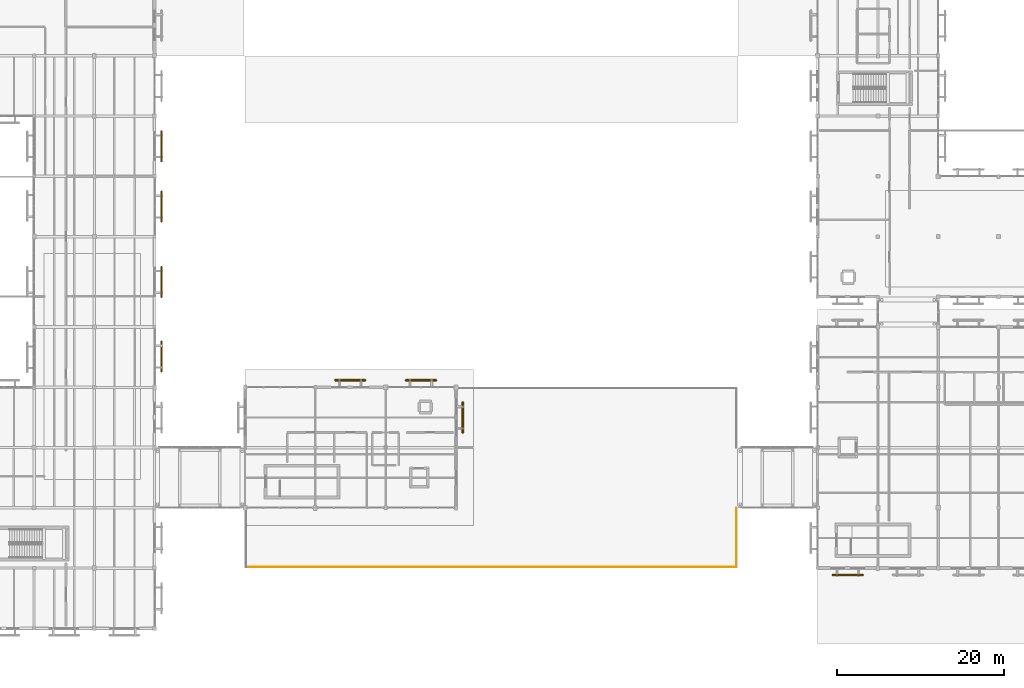
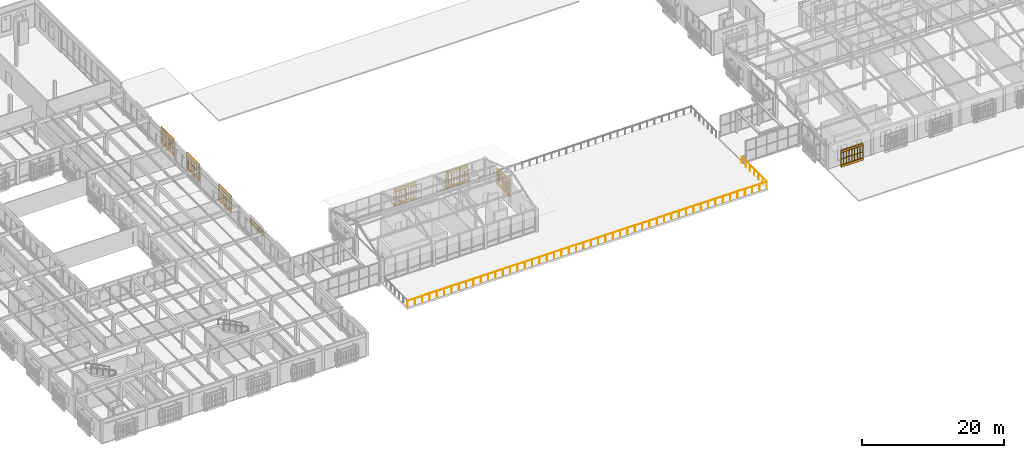
# One storey, part 100 of 112: 17 railings, 14 coverings.
"""IFC4 building model written with IfcOpenShell, lengths in metres."""

from ifc_helpers import new_model, si_unit, direction, frame, origin, origin_2d, place, context, subcontext, project, spatial, polyline, circle, outline, extrude, material, layer, layer_set, type_object, element, save


model = new_model("IFC4")

# Units and contexts
model_context = context("Model", 3, precision=1e-05, world=origin(), true_north=direction((0.0, 1.0)))
body_context = subcontext(model_context, "Body", "Model", "MODEL_VIEW")
ifc_project = project(units=[si_unit("LENGTHUNIT", "METRE"), si_unit("AREAUNIT", "SQUARE_METRE"), si_unit("VOLUMEUNIT", "CUBIC_METRE"), si_unit("PLANEANGLEUNIT", "RADIAN"), si_unit("MASSUNIT", "GRAM", prefix="KILO")], contexts=[model_context])

# Site, building, storey
site_placement = place(None, origin())
site = spatial("IfcSite", under=ifc_project, at=site_placement, CompositionType="ELEMENT")
building_placement = place(site_placement, origin())
building = spatial("IfcBuilding", under=site, at=building_placement, Name="Mazaris Harbour Polytechnic", CompositionType="ELEMENT")
storey_placement = place(building_placement, frame((0.0, 0.0, 13.800048828125)))
storey = spatial("IfcBuildingStorey", under=building, at=storey_placement, Name="L03", CompositionType="ELEMENT", Elevation=13.800048828125)

# Railings
ifc_material_1 = material(Name="Algerian Buff Limestone", Category="masonry")
railing_type_1 = type_object("IfcRailingType", Name="Limestone Roof Garden Balustrade 1100", PredefinedType="BALUSTRADE", material=ifc_material_1)
railing_1_placement = place(storey_placement, frame((54.1201171875, 14.52001953125, 0.0)))
element("IfcRailing", 1, at=railing_1_placement, inside=storey, type_object=railing_type_1, Name="Railing BAL-V3-S", PredefinedType="BALUSTRADE", context=body_context, shape_type="SweptSolid", body=[
    extrude(circle(Radius=0.02392578125, at=origin_2d()), frame((0.0, 0.0, 1.09619140625), z_axis=(1.0, 0.0, 0.0), x_axis=(0.0, 1.0, 0.0)), (0.0, 0.0, 1.0), 58.559814453125),
    extrude(circle(Radius=0.02099609375, at=origin_2d()), origin(), (0.0, 0.0, 1.0), 1.072021484375),
    extrude(circle(Radius=0.02099609375, at=origin_2d()), frame((1.195068359375, 0.0, 0.0)), (0.0, 0.0, 1.0), 1.072021484375),
    extrude(circle(Radius=0.02099609375, at=origin_2d()), frame((2.39013671875, 0.0, 0.0)), (0.0, 0.0, 1.0), 1.072021484375),
    extrude(circle(Radius=0.02099609375, at=origin_2d()), frame((3.585205078125, 0.0, 0.0)), (0.0, 0.0, 1.0), 1.072021484375),
    extrude(circle(Radius=0.02099609375, at=origin_2d()), frame((4.7802734375, 0.0, 0.0)), (0.0, 0.0, 1.0), 1.072021484375),
    extrude(circle(Radius=0.02099609375, at=origin_2d()), frame((5.9755859375, 0.0, 0.0)), (0.0, 0.0, 1.0), 1.072021484375),
    extrude(circle(Radius=0.02099609375, at=origin_2d()), frame((7.170654296875, 0.0, 0.0)), (0.0, 0.0, 1.0), 1.072021484375),
    extrude(circle(Radius=0.02099609375, at=origin_2d()), frame((8.36572265625, 0.0, 0.0)), (0.0, 0.0, 1.0), 1.072021484375),
    extrude(circle(Radius=0.02099609375, at=origin_2d()), frame((9.560791015625, 0.0, 0.0)), (0.0, 0.0, 1.0), 1.072021484375),
    extrude(circle(Radius=0.02099609375, at=origin_2d()), frame((10.755859375, 0.0, 0.0)), (0.0, 0.0, 1.0), 1.072021484375),
    extrude(circle(Radius=0.02099609375, at=origin_2d()), frame((11.950927734375, 0.0, 0.0)), (0.0, 0.0, 1.0), 1.072021484375),
    extrude(circle(Radius=0.02099609375, at=origin_2d()), frame((13.14599609375, 0.0, 0.0)), (0.0, 0.0, 1.0), 1.072021484375),
    extrude(circle(Radius=0.02099609375, at=origin_2d()), frame((14.341064453125, 0.0, 0.0)), (0.0, 0.0, 1.0), 1.072021484375),
    extrude(circle(Radius=0.02099609375, at=origin_2d()), frame((15.536376953125, 0.0, 0.0)), (0.0, 0.0, 1.0), 1.072021484375),
    extrude(circle(Radius=0.02099609375, at=origin_2d()), frame((16.7314453125, 0.0, 0.0)), (0.0, 0.0, 1.0), 1.072021484375),
    extrude(circle(Radius=0.02099609375, at=origin_2d()), frame((17.926513671875, 0.0, 0.0)), (0.0, 0.0, 1.0), 1.072021484375),
    extrude(circle(Radius=0.02099609375, at=origin_2d()), frame((19.12158203125, 0.0, 0.0)), (0.0, 0.0, 1.0), 1.072021484375),
    extrude(circle(Radius=0.02099609375, at=origin_2d()), frame((20.316650390625, 0.0, 0.0)), (0.0, 0.0, 1.0), 1.072021484375),
    extrude(circle(Radius=0.02099609375, at=origin_2d()), frame((21.51171875, 0.0, 0.0)), (0.0, 0.0, 1.0), 1.072021484375),
    extrude(circle(Radius=0.02099609375, at=origin_2d()), frame((22.706787109375, 0.0, 0.0)), (0.0, 0.0, 1.0), 1.072021484375),
    extrude(circle(Radius=0.02099609375, at=origin_2d()), frame((23.90185546875, 0.0, 0.0)), (0.0, 0.0, 1.0), 1.072021484375),
    extrude(circle(Radius=0.02099609375, at=origin_2d()), frame((25.09716796875, 0.0, 0.0)), (0.0, 0.0, 1.0), 1.072021484375),
    extrude(circle(Radius=0.02099609375, at=origin_2d()), frame((26.292236328125, 0.0, 0.0)), (0.0, 0.0, 1.0), 1.072021484375),
    extrude(circle(Radius=0.02099609375, at=origin_2d()), frame((27.4873046875, 0.0, 0.0)), (0.0, 0.0, 1.0), 1.072021484375),
    extrude(circle(Radius=0.02099609375, at=origin_2d()), frame((28.682373046875, 0.0, 0.0)), (0.0, 0.0, 1.0), 1.072021484375),
    extrude(circle(Radius=0.02099609375, at=origin_2d()), frame((29.87744140625, 0.0, 0.0)), (0.0, 0.0, 1.0), 1.072021484375),
    extrude(circle(Radius=0.02099609375, at=origin_2d()), frame((31.072509765625, 0.0, 0.0)), (0.0, 0.0, 1.0), 1.072021484375),
    extrude(circle(Radius=0.02099609375, at=origin_2d()), frame((32.267578125, 0.0, 0.0)), (0.0, 0.0, 1.0), 1.072021484375),
    extrude(circle(Radius=0.02099609375, at=origin_2d()), frame((33.462646484375, 0.0, 0.0)), (0.0, 0.0, 1.0), 1.072021484375),
    extrude(circle(Radius=0.02099609375, at=origin_2d()), frame((34.657958984375, 0.0, 0.0)), (0.0, 0.0, 1.0), 1.072021484375),
    extrude(circle(Radius=0.02099609375, at=origin_2d()), frame((35.85302734375, 0.0, 0.0)), (0.0, 0.0, 1.0), 1.072021484375),
    extrude(circle(Radius=0.02099609375, at=origin_2d()), frame((37.048095703125, 0.0, 0.0)), (0.0, 0.0, 1.0), 1.072021484375),
    extrude(circle(Radius=0.02099609375, at=origin_2d()), frame((38.2431640625, 0.0, 0.0)), (0.0, 0.0, 1.0), 1.072021484375),
    extrude(circle(Radius=0.02099609375, at=origin_2d()), frame((39.438232421875, 0.0, 0.0)), (0.0, 0.0, 1.0), 1.072021484375),
    extrude(circle(Radius=0.02099609375, at=origin_2d()), frame((40.63330078125, 0.0, 0.0)), (0.0, 0.0, 1.0), 1.072021484375),
    extrude(circle(Radius=0.02099609375, at=origin_2d()), frame((41.828369140625, 0.0, 0.0)), (0.0, 0.0, 1.0), 1.072021484375),
    extrude(circle(Radius=0.02099609375, at=origin_2d()), frame((43.0234375, 0.0, 0.0)), (0.0, 0.0, 1.0), 1.072021484375),
    extrude(circle(Radius=0.02099609375, at=origin_2d()), frame((44.21875, 0.0, 0.0)), (0.0, 0.0, 1.0), 1.072021484375),
    extrude(circle(Radius=0.02099609375, at=origin_2d()), frame((45.413818359375, 0.0, 0.0)), (0.0, 0.0, 1.0), 1.072021484375),
    extrude(circle(Radius=0.02099609375, at=origin_2d()), frame((46.60888671875, 0.0, 0.0)), (0.0, 0.0, 1.0), 1.072021484375),
    extrude(circle(Radius=0.02099609375, at=origin_2d()), frame((47.803955078125, 0.0, 0.0)), (0.0, 0.0, 1.0), 1.072021484375),
    extrude(circle(Radius=0.02099609375, at=origin_2d()), frame((48.9990234375, 0.0, 0.0)), (0.0, 0.0, 1.0), 1.072021484375),
    extrude(circle(Radius=0.02099609375, at=origin_2d()), frame((50.194091796875, 0.0, 0.0)), (0.0, 0.0, 1.0), 1.072021484375),
    extrude(circle(Radius=0.02099609375, at=origin_2d()), frame((51.38916015625, 0.0, 0.0)), (0.0, 0.0, 1.0), 1.072021484375),
    extrude(circle(Radius=0.02099609375, at=origin_2d()), frame((52.584228515625, 0.0, 0.0)), (0.0, 0.0, 1.0), 1.072021484375),
    extrude(circle(Radius=0.02099609375, at=origin_2d()), frame((53.779541015625, 0.0, 0.0)), (0.0, 0.0, 1.0), 1.072021484375),
    extrude(circle(Radius=0.02099609375, at=origin_2d()), frame((54.974609375, 0.0, 0.0)), (0.0, 0.0, 1.0), 1.072021484375),
    extrude(circle(Radius=0.02099609375, at=origin_2d()), frame((56.169677734375, 0.0, 0.0)), (0.0, 0.0, 1.0), 1.072021484375),
    extrude(circle(Radius=0.02099609375, at=origin_2d()), frame((57.36474609375, 0.0, 0.0)), (0.0, 0.0, 1.0), 1.072021484375),
    extrude(circle(Radius=0.02099609375, at=origin_2d()), frame((58.559814453125, 0.0, 0.0)), (0.0, 0.0, 1.0), 1.072021484375),
])
railing_2_placement = place(storey_placement, frame((112.679931640625, 14.52001953125, 0.0)))
element("IfcRailing", 2, at=railing_2_placement, inside=storey, type_object=railing_type_1, Name="Railing BAL-V3-E", PredefinedType="BALUSTRADE", context=body_context, shape_type="SweptSolid", body=[
    extrude(circle(Radius=0.02392578125, at=origin_2d()), frame((0.0, 0.0, 1.09619140625), z_axis=(0.0, 1.0, 0.0), x_axis=(-1.0, 0.0, 0.0)), (0.0, 0.0, 1.0), 7.080078125),
    extrude(circle(Radius=0.02099609375, at=origin_2d()), origin(), (0.0, 0.0, 1.0), 1.072021484375),
    extrude(circle(Radius=0.02099609375, at=origin_2d()), frame((0.0, 1.179931640625, 0.0)), (0.0, 0.0, 1.0), 1.072021484375),
    extrude(circle(Radius=0.02099609375, at=origin_2d()), frame((0.0, 2.360107421875, 0.0)), (0.0, 0.0, 1.0), 1.072021484375),
    extrude(circle(Radius=0.02099609375, at=origin_2d()), frame((0.0, 3.5400390625, 0.0)), (0.0, 0.0, 1.0), 1.072021484375),
    extrude(circle(Radius=0.02099609375, at=origin_2d()), frame((0.0, 4.719970703125, 0.0)), (0.0, 0.0, 1.0), 1.072021484375),
    extrude(circle(Radius=0.02099609375, at=origin_2d()), frame((0.0, 5.900146484375, 0.0)), (0.0, 0.0, 1.0), 1.072021484375),
    extrude(circle(Radius=0.02099609375, at=origin_2d()), frame((0.0, 7.080078125, 0.0)), (0.0, 0.0, 1.0), 1.072021484375),
])
ifc_material_2 = material(Name="Perforated Earth-Coloured Terracotta Block", Category="masonry")
railing_type_2 = type_object("IfcRailingType", Name="Perforated Earth-Block Claustra Lattice 1040", PredefinedType="BALUSTRADE", material=ifc_material_2)
for number, where, name in (
    (3, (127.794921875, 13.580078125, 0.52001953125), "V2 L03 Lower Perforated Terracotta Block Screen 89"),
    (4, (127.794921875, 13.580078125, 1.60986328125), "V2 L03 Upper Perforated Terracotta Block Screen 89"),
):
    element("IfcRailing", number, at=place(storey_placement, frame(where)), inside=storey, type_object=railing_type_2, Name=name, PredefinedType="BALUSTRADE", context=body_context, shape_type="SweptSolid", body=[
        extrude(circle(Radius=0.06982421875, at=origin_2d()), frame((0.0, 0.0, 1.02001953125), z_axis=(-1.0, 0.0, 0.0), x_axis=(0.0, -1.0, 0.0)), (0.0, 0.0, 1.0), 3.599853515625),
        extrude(circle(Radius=0.074951171875, at=origin_2d()), origin(), (0.0, 0.0, 1.0), 0.9501953125),
        extrude(circle(Radius=0.074951171875, at=origin_2d()), frame((-0.449951171875, 0.0, 0.0)), (0.0, 0.0, 1.0), 0.9501953125),
        extrude(circle(Radius=0.074951171875, at=origin_2d()), frame((-0.89990234375, 0.0, 0.0)), (0.0, 0.0, 1.0), 0.9501953125),
        extrude(circle(Radius=0.074951171875, at=origin_2d()), frame((-1.349853515625, 0.0, 0.0)), (0.0, 0.0, 1.0), 0.9501953125),
        extrude(circle(Radius=0.074951171875, at=origin_2d()), frame((-1.7998046875, 0.0, 0.0)), (0.0, 0.0, 1.0), 0.9501953125),
        extrude(circle(Radius=0.074951171875, at=origin_2d()), frame((-2.25, 0.0, 0.0)), (0.0, 0.0, 1.0), 0.9501953125),
        extrude(circle(Radius=0.074951171875, at=origin_2d()), frame((-2.699951171875, 0.0, 0.0)), (0.0, 0.0, 1.0), 0.9501953125),
        extrude(circle(Radius=0.074951171875, at=origin_2d()), frame((-3.14990234375, 0.0, 0.0)), (0.0, 0.0, 1.0), 0.9501953125),
        extrude(circle(Radius=0.074951171875, at=origin_2d()), frame((-3.599853515625, 0.0, 0.0)), (0.0, 0.0, 1.0), 0.9501953125),
    ])
for number, where, name in (
    (5, (64.77001953125, 36.820068359375, 0.52001953125), "V3 L03 Lower Perforated Terracotta Block Screen 132"),
    (6, (64.77001953125, 36.820068359375, 1.60986328125), "V3 L03 Upper Perforated Terracotta Block Screen 132"),
):
    element("IfcRailing", number, at=place(storey_placement, frame(where)), inside=storey, type_object=railing_type_2, Name=name, PredefinedType="BALUSTRADE", context=body_context, shape_type="SweptSolid", body=[
        extrude(circle(Radius=0.06982421875, at=origin_2d()), frame((0.0, 0.0, 1.02001953125), z_axis=(1.0, 0.0, 0.0), x_axis=(0.0, 1.0, 0.0)), (0.0, 0.0, 1.0), 3.60009765625),
        extrude(circle(Radius=0.074951171875, at=origin_2d()), origin(), (0.0, 0.0, 1.0), 0.9501953125),
        extrude(circle(Radius=0.074951171875, at=origin_2d()), frame((0.39990234375, 0.0, 0.0)), (0.0, 0.0, 1.0), 0.9501953125),
        extrude(circle(Radius=0.074951171875, at=origin_2d()), frame((0.800048828125, 0.0, 0.0)), (0.0, 0.0, 1.0), 0.9501953125),
        extrude(circle(Radius=0.074951171875, at=origin_2d()), frame((1.199951171875, 0.0, 0.0)), (0.0, 0.0, 1.0), 0.9501953125),
        extrude(circle(Radius=0.074951171875, at=origin_2d()), frame((1.60009765625, 0.0, 0.0)), (0.0, 0.0, 1.0), 0.9501953125),
        extrude(circle(Radius=0.074951171875, at=origin_2d()), frame((2.0, 0.0, 0.0)), (0.0, 0.0, 1.0), 0.9501953125),
        extrude(circle(Radius=0.074951171875, at=origin_2d()), frame((2.400146484375, 0.0, 0.0)), (0.0, 0.0, 1.0), 0.9501953125),
        extrude(circle(Radius=0.074951171875, at=origin_2d()), frame((2.800048828125, 0.0, 0.0)), (0.0, 0.0, 1.0), 0.9501953125),
        extrude(circle(Radius=0.074951171875, at=origin_2d()), frame((3.2001953125, 0.0, 0.0)), (0.0, 0.0, 1.0), 0.9501953125),
        extrude(circle(Radius=0.074951171875, at=origin_2d()), frame((3.60009765625, 0.0, 0.0)), (0.0, 0.0, 1.0), 0.9501953125),
    ])
for number, where, name in (
    (7, (73.215087890625, 36.820068359375, 0.52001953125), "V3 L03 Lower Perforated Terracotta Block Screen 133"),
    (8, (73.215087890625, 36.820068359375, 1.60986328125), "V3 L03 Upper Perforated Terracotta Block Screen 133"),
):
    element("IfcRailing", number, at=place(storey_placement, frame(where)), inside=storey, type_object=railing_type_2, Name=name, PredefinedType="BALUSTRADE", context=body_context, shape_type="SweptSolid", body=[
        extrude(circle(Radius=0.06982421875, at=origin_2d()), frame((0.0, 0.0, 1.02001953125), z_axis=(1.0, 0.0, 0.0), x_axis=(0.0, 1.0, 0.0)), (0.0, 0.0, 1.0), 3.599853515625),
        extrude(circle(Radius=0.074951171875, at=origin_2d()), origin(), (0.0, 0.0, 1.0), 0.9501953125),
        extrude(circle(Radius=0.074951171875, at=origin_2d()), frame((0.449951171875, 0.0, 0.0)), (0.0, 0.0, 1.0), 0.9501953125),
        extrude(circle(Radius=0.074951171875, at=origin_2d()), frame((0.89990234375, 0.0, 0.0)), (0.0, 0.0, 1.0), 0.9501953125),
        extrude(circle(Radius=0.074951171875, at=origin_2d()), frame((1.349853515625, 0.0, 0.0)), (0.0, 0.0, 1.0), 0.9501953125),
        extrude(circle(Radius=0.074951171875, at=origin_2d()), frame((1.7998046875, 0.0, 0.0)), (0.0, 0.0, 1.0), 0.9501953125),
        extrude(circle(Radius=0.074951171875, at=origin_2d()), frame((2.25, 0.0, 0.0)), (0.0, 0.0, 1.0), 0.9501953125),
        extrude(circle(Radius=0.074951171875, at=origin_2d()), frame((2.699951171875, 0.0, 0.0)), (0.0, 0.0, 1.0), 0.9501953125),
        extrude(circle(Radius=0.074951171875, at=origin_2d()), frame((3.14990234375, 0.0, 0.0)), (0.0, 0.0, 1.0), 0.9501953125),
        extrude(circle(Radius=0.074951171875, at=origin_2d()), frame((3.599853515625, 0.0, 0.0)), (0.0, 0.0, 1.0), 0.9501953125),
    ])
for number, where, name in (
    (9, (80.02001953125, 34.18505859375, 0.52001953125), "V3 L03 Lower Perforated Terracotta Block Screen 135"),
    (10, (80.02001953125, 34.18505859375, 1.60986328125), "V3 L03 Upper Perforated Terracotta Block Screen 135"),
    (11, (44.02001953125, 41.465087890625, 1.60986328125), "V4 L03 Upper Perforated Terracotta Block Screen 274"),
):
    element("IfcRailing", number, at=place(storey_placement, frame(where)), inside=storey, type_object=railing_type_2, Name=name, PredefinedType="BALUSTRADE", context=body_context, shape_type="SweptSolid", body=[
        extrude(circle(Radius=0.06982421875, at=origin_2d()), frame((0.0, 0.0, 1.02001953125), z_axis=(0.0, -1.0, 0.0), x_axis=(1.0, 0.0, 0.0)), (0.0, 0.0, 1.0), 3.60009765625),
        extrude(circle(Radius=0.074951171875, at=origin_2d()), origin(), (0.0, 0.0, 1.0), 0.9501953125),
        extrude(circle(Radius=0.074951171875, at=origin_2d()), frame((0.0, -0.39990234375, 0.0)), (0.0, 0.0, 1.0), 0.9501953125),
        extrude(circle(Radius=0.074951171875, at=origin_2d()), frame((0.0, -0.800048828125, 0.0)), (0.0, 0.0, 1.0), 0.9501953125),
        extrude(circle(Radius=0.074951171875, at=origin_2d()), frame((0.0, -1.199951171875, 0.0)), (0.0, 0.0, 1.0), 0.9501953125),
        extrude(circle(Radius=0.074951171875, at=origin_2d()), frame((0.0, -1.60009765625, 0.0)), (0.0, 0.0, 1.0), 0.9501953125),
        extrude(circle(Radius=0.074951171875, at=origin_2d()), frame((0.0, -2.0, 0.0)), (0.0, 0.0, 1.0), 0.9501953125),
        extrude(circle(Radius=0.074951171875, at=origin_2d()), frame((0.0, -2.400146484375, 0.0)), (0.0, 0.0, 1.0), 0.9501953125),
        extrude(circle(Radius=0.074951171875, at=origin_2d()), frame((0.0, -2.800048828125, 0.0)), (0.0, 0.0, 1.0), 0.9501953125),
        extrude(circle(Radius=0.074951171875, at=origin_2d()), frame((0.0, -3.2001953125, 0.0)), (0.0, 0.0, 1.0), 0.9501953125),
        extrude(circle(Radius=0.074951171875, at=origin_2d()), frame((0.0, -3.60009765625, 0.0)), (0.0, 0.0, 1.0), 0.9501953125),
    ])
for number, where, name in (
    (12, (44.02001953125, 50.389892578125, 0.52001953125), "V4 L03 Lower Perforated Terracotta Block Screen 275"),
    (13, (44.02001953125, 50.389892578125, 1.60986328125), "V4 L03 Upper Perforated Terracotta Block Screen 275"),
    (14, (44.02001953125, 59.389892578125, 0.52001953125), "V4 L03 Lower Perforated Terracotta Block Screen 276"),
    (15, (44.02001953125, 59.389892578125, 1.60986328125), "V4 L03 Upper Perforated Terracotta Block Screen 276"),
):
    element("IfcRailing", number, at=place(storey_placement, frame(where)), inside=storey, type_object=railing_type_2, Name=name, PredefinedType="BALUSTRADE", context=body_context, shape_type="SweptSolid", body=[
        extrude(circle(Radius=0.06982421875, at=origin_2d()), frame((0.0, 0.0, 1.02001953125), z_axis=(0.0, -1.0, 0.0), x_axis=(1.0, 0.0, 0.0)), (0.0, 0.0, 1.0), 3.599853515625),
        extrude(circle(Radius=0.074951171875, at=origin_2d()), origin(), (0.0, 0.0, 1.0), 0.9501953125),
        extrude(circle(Radius=0.074951171875, at=origin_2d()), frame((0.0, -0.449951171875, 0.0)), (0.0, 0.0, 1.0), 0.9501953125),
        extrude(circle(Radius=0.074951171875, at=origin_2d()), frame((0.0, -0.89990234375, 0.0)), (0.0, 0.0, 1.0), 0.9501953125),
        extrude(circle(Radius=0.074951171875, at=origin_2d()), frame((0.0, -1.349853515625, 0.0)), (0.0, 0.0, 1.0), 0.9501953125),
        extrude(circle(Radius=0.074951171875, at=origin_2d()), frame((0.0, -1.7998046875, 0.0)), (0.0, 0.0, 1.0), 0.9501953125),
        extrude(circle(Radius=0.074951171875, at=origin_2d()), frame((0.0, -2.25, 0.0)), (0.0, 0.0, 1.0), 0.9501953125),
        extrude(circle(Radius=0.074951171875, at=origin_2d()), frame((0.0, -2.699951171875, 0.0)), (0.0, 0.0, 1.0), 0.9501953125),
        extrude(circle(Radius=0.074951171875, at=origin_2d()), frame((0.0, -3.14990234375, 0.0)), (0.0, 0.0, 1.0), 0.9501953125),
        extrude(circle(Radius=0.074951171875, at=origin_2d()), frame((0.0, -3.599853515625, 0.0)), (0.0, 0.0, 1.0), 0.9501953125),
    ])
for number, where, name in (
    (16, (44.02001953125, 66.590087890625, 0.52001953125), "V4 L03 Lower Perforated Terracotta Block Screen 277"),
    (17, (44.02001953125, 66.590087890625, 1.60986328125), "V4 L03 Upper Perforated Terracotta Block Screen 277"),
):
    element("IfcRailing", number, at=place(storey_placement, frame(where)), inside=storey, type_object=railing_type_2, Name=name, PredefinedType="BALUSTRADE", context=body_context, shape_type="SweptSolid", body=[
        extrude(circle(Radius=0.06982421875, at=origin_2d()), frame((0.0, 0.0, 1.02001953125), z_axis=(0.0, -1.0, 0.0), x_axis=(1.0, 0.0, 0.0)), (0.0, 0.0, 1.0), 3.60009765625),
        extrude(circle(Radius=0.074951171875, at=origin_2d()), origin(), (0.0, 0.0, 1.0), 0.9501953125),
        extrude(circle(Radius=0.074951171875, at=origin_2d()), frame((0.0, -0.39990234375, 0.0)), (0.0, 0.0, 1.0), 0.9501953125),
        extrude(circle(Radius=0.074951171875, at=origin_2d()), frame((0.0, -0.800048828125, 0.0)), (0.0, 0.0, 1.0), 0.9501953125),
        extrude(circle(Radius=0.074951171875, at=origin_2d()), frame((0.0, -1.199951171875, 0.0)), (0.0, 0.0, 1.0), 0.9501953125),
        extrude(circle(Radius=0.074951171875, at=origin_2d()), frame((0.0, -1.60009765625, 0.0)), (0.0, 0.0, 1.0), 0.9501953125),
        extrude(circle(Radius=0.074951171875, at=origin_2d()), frame((0.0, -2.0, 0.0)), (0.0, 0.0, 1.0), 0.9501953125),
        extrude(circle(Radius=0.074951171875, at=origin_2d()), frame((0.0, -2.400146484375, 0.0)), (0.0, 0.0, 1.0), 0.9501953125),
        extrude(circle(Radius=0.074951171875, at=origin_2d()), frame((0.0, -2.800048828125, 0.0)), (0.0, 0.0, 1.0), 0.9501953125),
        extrude(circle(Radius=0.074951171875, at=origin_2d()), frame((0.0, -3.2001953125, 0.0)), (0.0, 0.0, 1.0), 0.9501953125),
        extrude(circle(Radius=0.074951171875, at=origin_2d()), frame((0.0, -3.60009765625, 0.0)), (0.0, 0.0, 1.0), 0.9501953125),
    ])

# Coverings
ifc_material_3 = material(Name="Perforated Earth-Coloured Terracotta Block", Category="masonry")
ifc_layer = layer(ifc_material_3, 0.219970703125, Name="Perforated Earth-Coloured Terracotta Block")
ifc_layer_set = layer_set([ifc_layer], Name="Perforated Earth-Coloured Terracotta Block")
covering_type = type_object("IfcCoveringType", Name="Terracotta Screen Course Cladding 220", PredefinedType="CLADDING", material=ifc_layer_set)
covering_1_placement = place(storey_placement, frame((0.0, 0.0, 0.159912109375)))
element("IfcCovering", 18, at=covering_1_placement, inside=storey, type_object=covering_type, Name="V2 L03 Perforated Screen Sill Course 89", PredefinedType="CLADDING", context=body_context, shape_type="SweptSolid", body=[
    extrude(outline(polyline([(127.794921875, 13.68994140625), (124.195068359375, 13.68994140625), (124.195068359375, 13.469970703125), (127.794921875, 13.469970703125), (127.794921875, 13.68994140625)])), origin(), (0.0, 0.0, 1.0), 0.360107421875),
])
covering_2_placement = place(storey_placement, frame((0.0, 0.0, 2.699951171875)))
element("IfcCovering", 19, at=covering_2_placement, inside=storey, type_object=covering_type, Name="V2 L03 Perforated Screen Lintel Course 89", PredefinedType="CLADDING", context=body_context, shape_type="SweptSolid", body=[
    extrude(outline(polyline([(127.794921875, 13.68994140625), (124.195068359375, 13.68994140625), (124.195068359375, 13.469970703125), (127.794921875, 13.469970703125), (127.794921875, 13.68994140625)])), origin(), (0.0, 0.0, 1.0), 0.340087890625),
])
covering_3_placement = place(storey_placement, frame((0.0, 0.0, 0.159912109375)))
element("IfcCovering", 20, at=covering_3_placement, inside=storey, type_object=covering_type, Name="V3 L03 Perforated Screen Sill Course 132", PredefinedType="CLADDING", context=body_context, shape_type="SweptSolid", body=[
    extrude(outline(polyline([(64.77001953125, 36.7099609375), (68.3701171875, 36.7099609375), (68.3701171875, 36.929931640625), (64.77001953125, 36.929931640625), (64.77001953125, 36.7099609375)])), origin(), (0.0, 0.0, 1.0), 0.360107421875),
])
covering_4_placement = place(storey_placement, frame((0.0, 0.0, 2.699951171875)))
element("IfcCovering", 21, at=covering_4_placement, inside=storey, type_object=covering_type, Name="V3 L03 Perforated Screen Lintel Course 132", PredefinedType="CLADDING", context=body_context, shape_type="SweptSolid", body=[
    extrude(outline(polyline([(64.77001953125, 36.7099609375), (68.3701171875, 36.7099609375), (68.3701171875, 36.929931640625), (64.77001953125, 36.929931640625), (64.77001953125, 36.7099609375)])), origin(), (0.0, 0.0, 1.0), 0.340087890625),
])
covering_5_placement = place(storey_placement, frame((0.0, 0.0, 0.159912109375)))
element("IfcCovering", 22, at=covering_5_placement, inside=storey, type_object=covering_type, Name="V3 L03 Perforated Screen Sill Course 133", PredefinedType="CLADDING", context=body_context, shape_type="SweptSolid", body=[
    extrude(outline(polyline([(73.215087890625, 36.7099609375), (76.81494140625, 36.7099609375), (76.81494140625, 36.929931640625), (73.215087890625, 36.929931640625), (73.215087890625, 36.7099609375)])), origin(), (0.0, 0.0, 1.0), 0.360107421875),
])
covering_6_placement = place(storey_placement, frame((0.0, 0.0, 2.699951171875)))
element("IfcCovering", 23, at=covering_6_placement, inside=storey, type_object=covering_type, Name="V3 L03 Perforated Screen Lintel Course 133", PredefinedType="CLADDING", context=body_context, shape_type="SweptSolid", body=[
    extrude(outline(polyline([(73.215087890625, 36.7099609375), (76.81494140625, 36.7099609375), (76.81494140625, 36.929931640625), (73.215087890625, 36.929931640625), (73.215087890625, 36.7099609375)])), origin(), (0.0, 0.0, 1.0), 0.340087890625),
])
covering_7_placement = place(storey_placement, frame((0.0, 0.0, 0.159912109375)))
element("IfcCovering", 24, at=covering_7_placement, inside=storey, type_object=covering_type, Name="V3 L03 Perforated Screen Sill Course 135", PredefinedType="CLADDING", context=body_context, shape_type="SweptSolid", body=[
    extrude(outline(polyline([(79.909912109375, 34.18505859375), (79.909912109375, 30.5849609375), (80.1298828125, 30.5849609375), (80.1298828125, 34.18505859375), (79.909912109375, 34.18505859375)])), origin(), (0.0, 0.0, 1.0), 0.360107421875),
])
covering_8_placement = place(storey_placement, frame((0.0, 0.0, 2.699951171875)))
element("IfcCovering", 25, at=covering_8_placement, inside=storey, type_object=covering_type, Name="V3 L03 Perforated Screen Lintel Course 135", PredefinedType="CLADDING", context=body_context, shape_type="SweptSolid", body=[
    extrude(outline(polyline([(79.909912109375, 34.18505859375), (79.909912109375, 30.5849609375), (80.1298828125, 30.5849609375), (80.1298828125, 34.18505859375), (79.909912109375, 34.18505859375)])), origin(), (0.0, 0.0, 1.0), 0.340087890625),
])
covering_9_placement = place(storey_placement, frame((0.0, 0.0, 0.159912109375)))
element("IfcCovering", 26, at=covering_9_placement, inside=storey, type_object=covering_type, Name="V4 L03 Perforated Screen Sill Course 275", PredefinedType="CLADDING", context=body_context, shape_type="SweptSolid", body=[
    extrude(outline(polyline([(43.909912109375, 50.389892578125), (43.909912109375, 46.7900390625), (44.1298828125, 46.7900390625), (44.1298828125, 50.389892578125), (43.909912109375, 50.389892578125)])), origin(), (0.0, 0.0, 1.0), 0.360107421875),
])
covering_10_placement = place(storey_placement, frame((0.0, 0.0, 2.699951171875)))
element("IfcCovering", 27, at=covering_10_placement, inside=storey, type_object=covering_type, Name="V4 L03 Perforated Screen Lintel Course 275", PredefinedType="CLADDING", context=body_context, shape_type="SweptSolid", body=[
    extrude(outline(polyline([(43.909912109375, 50.389892578125), (43.909912109375, 46.7900390625), (44.1298828125, 46.7900390625), (44.1298828125, 50.389892578125), (43.909912109375, 50.389892578125)])), origin(), (0.0, 0.0, 1.0), 0.340087890625),
])
covering_11_placement = place(storey_placement, frame((0.0, 0.0, 0.159912109375)))
element("IfcCovering", 28, at=covering_11_placement, inside=storey, type_object=covering_type, Name="V4 L03 Perforated Screen Sill Course 276", PredefinedType="CLADDING", context=body_context, shape_type="SweptSolid", body=[
    extrude(outline(polyline([(43.909912109375, 59.389892578125), (43.909912109375, 55.7900390625), (44.1298828125, 55.7900390625), (44.1298828125, 59.389892578125), (43.909912109375, 59.389892578125)])), origin(), (0.0, 0.0, 1.0), 0.360107421875),
])
covering_12_placement = place(storey_placement, frame((0.0, 0.0, 2.699951171875)))
element("IfcCovering", 29, at=covering_12_placement, inside=storey, type_object=covering_type, Name="V4 L03 Perforated Screen Lintel Course 276", PredefinedType="CLADDING", context=body_context, shape_type="SweptSolid", body=[
    extrude(outline(polyline([(43.909912109375, 59.389892578125), (43.909912109375, 55.7900390625), (44.1298828125, 55.7900390625), (44.1298828125, 59.389892578125), (43.909912109375, 59.389892578125)])), origin(), (0.0, 0.0, 1.0), 0.340087890625),
])
covering_13_placement = place(storey_placement, frame((0.0, 0.0, 0.159912109375)))
element("IfcCovering", 30, at=covering_13_placement, inside=storey, type_object=covering_type, Name="V4 L03 Perforated Screen Sill Course 277", PredefinedType="CLADDING", context=body_context, shape_type="SweptSolid", body=[
    extrude(outline(polyline([(43.909912109375, 66.590087890625), (43.909912109375, 62.989990234375), (44.1298828125, 62.989990234375), (44.1298828125, 66.590087890625), (43.909912109375, 66.590087890625)])), origin(), (0.0, 0.0, 1.0), 0.360107421875),
])
covering_14_placement = place(storey_placement, frame((0.0, 0.0, 2.699951171875)))
element("IfcCovering", 31, at=covering_14_placement, inside=storey, type_object=covering_type, Name="V4 L03 Perforated Screen Lintel Course 277", PredefinedType="CLADDING", context=body_context, shape_type="SweptSolid", body=[
    extrude(outline(polyline([(43.909912109375, 66.590087890625), (43.909912109375, 62.989990234375), (44.1298828125, 62.989990234375), (44.1298828125, 66.590087890625), (43.909912109375, 66.590087890625)])), origin(), (0.0, 0.0, 1.0), 0.340087890625),
])

save(model, "model.ifc")
